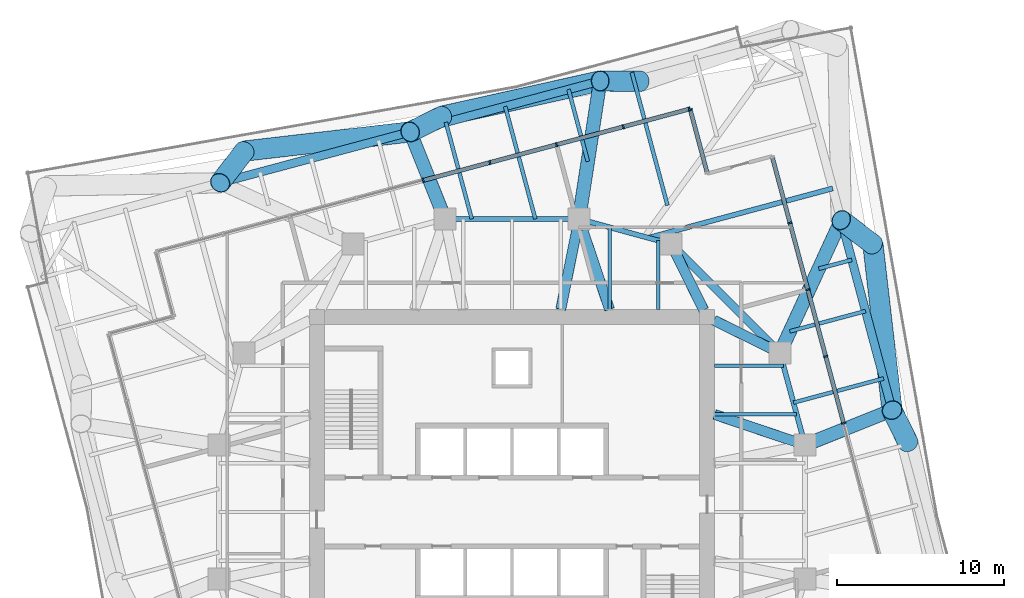
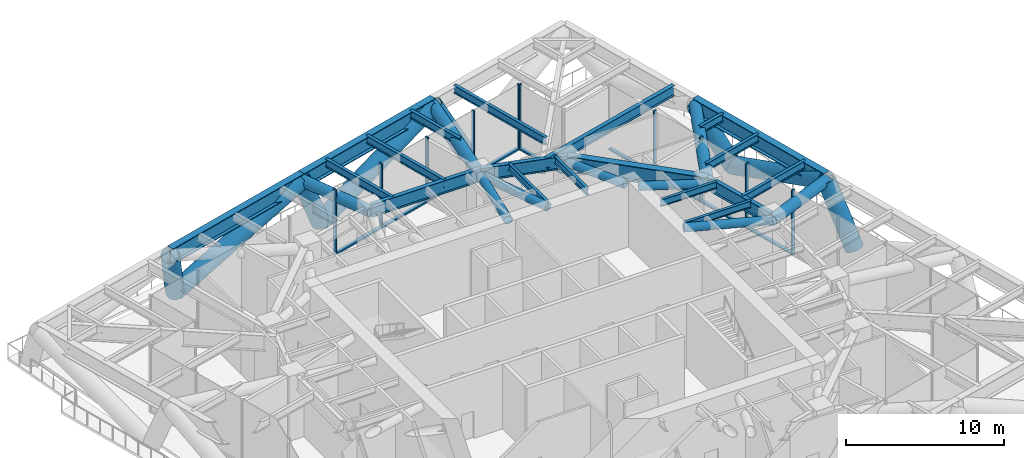
# One storey, part 6 of 14: 36 members, 19 beams, 3 elements without a shape of their own.
"""IFC4 building model written with IfcOpenShell, lengths in metres."""

from ifc_helpers import new_model, si_unit, direction, frame, origin, origin_2d, place, context, subcontext, project, spatial, rectangle, hollow_circle, i_section, extrude, material, material_profile, profile_set, type_object, element, aggregate, save


model = new_model("IFC4")

# Units and contexts
model_context = context("Model", 3, precision=1e-05, world=origin(), true_north=direction((0.0, 1.0)))
body_context = subcontext(model_context, "Body", "Model", "MODEL_VIEW")
ifc_project = project(units=[si_unit("LENGTHUNIT", "METRE"), si_unit("AREAUNIT", "SQUARE_METRE"), si_unit("VOLUMEUNIT", "CUBIC_METRE"), si_unit("PLANEANGLEUNIT", "RADIAN"), si_unit("MASSUNIT", "GRAM", prefix="KILO")], contexts=[model_context])

# Site, building, storey
site_placement = place(None, origin())
site = spatial("IfcSite", under=ifc_project, at=site_placement, CompositionType="ELEMENT")
building_placement = place(site_placement, origin())
building = spatial("IfcBuilding", under=site, at=building_placement, Name="Torsade Residences", CompositionType="ELEMENT")
storey_placement = place(building_placement, frame((0.0, 0.0, 106.60009765625)))
storey = spatial("IfcBuildingStorey", under=building, at=storey_placement, Name="L29", CompositionType="ELEMENT", Elevation=106.60009765625)

# Beams
ifc_material_1 = material(Name="Steel grade 300", Category="steel")
ifc_material_profile_1 = material_profile(ifc_material_1, i_section(OverallWidth=0.208984375, OverallDepth=0.528076171875, WebThickness=0.009521484375, FlangeThickness=0.01318359375, FilletRadius=0.013916015625, at=origin_2d()), Name="530UB82.0")
ifc_profile_set_1 = profile_set([ifc_material_profile_1], Name="Steel grade 300")
beam_type_1 = type_object("IfcBeamType", Name="INNER FLOOR BEAM 530UB82.0", PredefinedType="JOIST", material=ifc_profile_set_1)
beam_1_placement = place(storey_placement, frame((45.824951171875, 42.10009765625, 4.5859375), z_axis=(0.0, 1.0, 0.0), x_axis=(-1.0, 0.0, 0.0)))
element("IfcBeam", 1, at=beam_1_placement, inside=storey, type_object=beam_type_1, Name="Inner floor beam IN06 L30", PredefinedType="JOIST", context=body_context, shape_type="SweptSolid", body=[
    extrude(i_section(OverallWidth=0.208984375, OverallDepth=0.528076171875, WebThickness=0.009521484375, FlangeThickness=0.01318359375, FilletRadius=0.013916015625, at=origin_2d()), origin(), (0.0, 0.0, 1.0), 4.902099609375),
])
beam_2_placement = place(storey_placement, frame((48.737548828125, 42.10009765625, 4.5859375), z_axis=(0.0, 1.0, 0.0), x_axis=(-1.0, 0.0, 0.0)))
element("IfcBeam", 2, at=beam_2_placement, inside=storey, type_object=beam_type_1, Name="Inner floor beam IN07 L30", PredefinedType="JOIST", context=body_context, shape_type="SweptSolid", body=[
    extrude(i_section(OverallWidth=0.208984375, OverallDepth=0.528076171875, WebThickness=0.009521484375, FlangeThickness=0.01318359375, FilletRadius=0.013916015625, at=origin_2d()), origin(), (0.0, 0.0, 1.0), 4.10791015625),
])
beam_3_placement = place(storey_placement, frame((52.10009765625, 35.824951171875, 4.5859375), z_axis=(1.0, 0.0, 0.0), x_axis=(0.0, 1.0, 0.0)))
element("IfcBeam", 3, at=beam_3_placement, inside=storey, type_object=beam_type_1, Name="Inner floor beam IE06 L30", PredefinedType="JOIST", context=body_context, shape_type="SweptSolid", body=[
    extrude(i_section(OverallWidth=0.208984375, OverallDepth=0.528076171875, WebThickness=0.009521484375, FlangeThickness=0.01318359375, FilletRadius=0.013916015625, at=origin_2d()), origin(), (0.0, 0.0, 1.0), 4.902099609375),
])
beam_4_placement = place(storey_placement, frame((52.10009765625, 38.737548828125, 4.5859375), z_axis=(1.0, 0.0, 0.0), x_axis=(0.0, 1.0, 0.0)))
element("IfcBeam", 4, at=beam_4_placement, inside=storey, type_object=beam_type_1, Name="Inner floor beam IE07 L30", PredefinedType="JOIST", context=body_context, shape_type="SweptSolid", body=[
    extrude(i_section(OverallWidth=0.208984375, OverallDepth=0.528076171875, WebThickness=0.009521484375, FlangeThickness=0.01318359375, FilletRadius=0.013916015625, at=origin_2d()), origin(), (0.0, 0.0, 1.0), 4.10791015625),
])
ifc_material_2 = material(Name="Steel grade 300", Category="steel")
ifc_material_profile_2 = material_profile(ifc_material_2, i_section(OverallWidth=0.5, OverallDepth=1.199951171875, WebThickness=0.01611328125, FlangeThickness=0.0400390625, at=origin_2d()), Name="1200WB455")
ifc_profile_set_2 = profile_set([ifc_material_profile_2], Name="Steel grade 300")
beam_type_2 = type_object("IfcBeamType", Name="RING CORNER GIRDER 1200WB455", PredefinedType="BEAM", material=ifc_profile_set_2)
beam_5_placement = place(storey_placement, frame((56.0, 39.5, 4.25), z_axis=(-0.707106781187, 0.707106781187, 0.0), x_axis=(-0.707106781187, -0.707106781187, 0.0)))
element("IfcBeam", 5, at=beam_5_placement, inside=storey, type_object=beam_type_2, Name="Ring girder IR03 L30", PredefinedType="BEAM", context=body_context, shape_type="SweptSolid", body=[
    extrude(i_section(OverallWidth=0.5, OverallDepth=1.199951171875, WebThickness=0.01611328125, FlangeThickness=0.0400390625, at=origin_2d()), origin(), (0.0, 0.0, 1.0), 9.1923828125),
])
ifc_material_3 = material(Name="Steel grade 300", Category="steel")
ifc_material_profile_3 = material_profile(ifc_material_3, i_section(OverallWidth=0.300048828125, OverallDepth=1.0, WebThickness=0.01611328125, FlangeThickness=0.028076171875, at=origin_2d()), Name="1000WB215")
ifc_profile_set_3 = profile_set([ifc_material_profile_3], Name="Steel grade 300")
beam_type_3 = type_object("IfcBeamType", Name="RING GIRDER 1000WB215", PredefinedType="BEAM", material=ifc_profile_set_3)
for number, where, z_axis, x_axis, name in (
    (6, (57.5, 34.0, 4.349853515625), (-0.263117405792, 0.964763821238, 0.0), (-0.964763821238, -0.263117405792, 0.0), "Ring girder IR02 L30"),
    (7, (49.5, 46.0, 4.349853515625), (-0.964763821238, 0.263117405792, 0.0), (-0.263117405792, -0.964763821238, 0.0), "Ring girder IR04 L30"),
):
    element("IfcBeam", number, at=place(storey_placement, frame(where, z_axis=z_axis, x_axis=x_axis)), inside=storey, type_object=beam_type_3, Name=name, PredefinedType="BEAM", context=body_context, shape_type="SweptSolid", body=[
        extrude(i_section(OverallWidth=0.300048828125, OverallDepth=1.0, WebThickness=0.01611328125, FlangeThickness=0.028076171875, at=origin_2d()), origin(), (0.0, 0.0, 1.0), 5.700927734375),
    ])
beam_6_placement = place(storey_placement, frame((44.0, 47.5, 4.349853515625), z_axis=(-1.0, 0.0, 0.0), x_axis=(0.0, -1.0, 0.0)))
element("IfcBeam", 8, at=beam_6_placement, inside=storey, type_object=beam_type_3, Name="Ring girder IR05 L30", PredefinedType="BEAM", context=body_context, shape_type="SweptSolid", body=[
    extrude(i_section(OverallWidth=0.300048828125, OverallDepth=1.0, WebThickness=0.01611328125, FlangeThickness=0.028076171875, at=origin_2d()), origin(), (0.0, 0.0, 1.0), 8.0),
])
ifc_material_4 = material(Name="Steel grade 300", Category="steel")
ifc_material_profile_4 = material_profile(ifc_material_4, i_section(OverallWidth=0.22900390625, OverallDepth=0.612060546875, WebThickness=0.011962890625, FlangeThickness=0.01953125, FilletRadius=0.013916015625, at=origin_2d()), Name="610UB125")
ifc_profile_set_4 = profile_set([ifc_material_profile_4], Name="Steel grade 300")
beam_type_4 = type_object("IfcBeamType", Name="SECONDARY BEAM 610UB125", PredefinedType="JOIST", material=ifc_profile_set_4)
beam_7_placement = place(storey_placement, frame((62.1923828125, 37.973876953125, 4.5439453125), z_axis=(-0.965923020144, -0.258829517553, 0.0), x_axis=(0.258829517553, -0.965923020144, 0.0)))
element("IfcBeam", 9, at=beam_7_placement, inside=storey, type_object=beam_type_4, Name="Floor beam FE07 L30", PredefinedType="JOIST", context=body_context, shape_type="SweptSolid", body=[
    extrude(i_section(OverallWidth=0.22900390625, OverallDepth=0.612060546875, WebThickness=0.011962890625, FlangeThickness=0.01953125, FilletRadius=0.013916015625, at=origin_2d()), origin(), (0.0, 0.0, 1.0), 5.57275390625),
])
beam_8_placement = place(storey_placement, frame((61.114013671875, 41.99853515625, 4.5439453125), z_axis=(-0.965926860523, -0.258815185258, 0.0), x_axis=(0.258815185258, -0.965926860523, 0.0)))
element("IfcBeam", 10, at=beam_8_placement, inside=storey, type_object=beam_type_4, Name="Floor beam FE08 L30", PredefinedType="JOIST", context=body_context, shape_type="SweptSolid", body=[
    extrude(i_section(OverallWidth=0.22900390625, OverallDepth=0.612060546875, WebThickness=0.011962890625, FlangeThickness=0.01953125, FilletRadius=0.013916015625, at=origin_2d()), origin(), (0.0, 0.0, 1.0), 4.6796875),
])
beam_9_placement = place(storey_placement, frame((60.29443359375, 45.057373046875, 4.5439453125), z_axis=(-0.965933133225, -0.258791773706, 0.0), x_axis=(0.258791773706, -0.965933133225, 0.0)))
element("IfcBeam", 11, at=beam_9_placement, inside=storey, type_object=beam_type_4, Name="Floor beam FE09 L30", PredefinedType="JOIST", context=body_context, shape_type="SweptSolid", body=[
    extrude(i_section(OverallWidth=0.22900390625, OverallDepth=0.612060546875, WebThickness=0.011962890625, FlangeThickness=0.01953125, FilletRadius=0.013916015625, at=origin_2d()), origin(), (0.0, 0.0, 1.0), 2.045166015625),
])
beam_10_placement = place(storey_placement, frame((47.158935546875, 56.247314453125, 4.5439453125), z_axis=(0.258822243477, -0.965924969282, 0.0), x_axis=(0.965924969282, 0.258822243477, 0.0)))
element("IfcBeam", 12, at=beam_10_placement, inside=storey, type_object=beam_type_4, Name="Floor beam FN03 L30", PredefinedType="JOIST", context=body_context, shape_type="SweptSolid", body=[
    extrude(i_section(OverallWidth=0.22900390625, OverallDepth=0.612060546875, WebThickness=0.011962890625, FlangeThickness=0.01953125, FilletRadius=0.013916015625, at=origin_2d()), origin(), (0.0, 0.0, 1.0), 8.215087890625),
])
beam_11_placement = place(storey_placement, frame((43.375732421875, 55.233642578125, 4.5439453125), z_axis=(0.258836590722, -0.965921124784, 0.0), x_axis=(0.965921124784, 0.258836590722, 0.0)))
element("IfcBeam", 13, at=beam_11_placement, inside=storey, type_object=beam_type_4, Name="Floor beam FN04 L30", PredefinedType="JOIST", context=body_context, shape_type="SweptSolid", body=[
    extrude(i_section(OverallWidth=0.22900390625, OverallDepth=0.612060546875, WebThickness=0.011962890625, FlangeThickness=0.01953125, FilletRadius=0.013916015625, at=origin_2d()), origin(), (0.0, 0.0, 1.0), 4.451904296875),
])
beam_12_placement = place(storey_placement, frame((39.592529296875, 54.2197265625, 4.5439453125), z_axis=(0.258817945835, -0.965926120836, 0.0), x_axis=(0.965926120836, 0.258817945835, 0.0)))
element("IfcBeam", 14, at=beam_12_placement, inside=storey, type_object=beam_type_4, Name="Floor beam FN05 L30", PredefinedType="JOIST", context=body_context, shape_type="SweptSolid", body=[
    extrude(i_section(OverallWidth=0.22900390625, OverallDepth=0.612060546875, WebThickness=0.011962890625, FlangeThickness=0.01953125, FilletRadius=0.013916015625, at=origin_2d()), origin(), (0.0, 0.0, 1.0), 6.956787109375),
])
beam_13_placement = place(storey_placement, frame((36.05078125, 53.270751953125, 4.5439453125), z_axis=(0.258837534481, -0.965920871885, 0.0), x_axis=(0.965920871885, 0.258837534481, 0.0)))
element("IfcBeam", 15, at=beam_13_placement, inside=storey, type_object=beam_type_4, Name="Floor beam FN06 L30", PredefinedType="JOIST", context=body_context, shape_type="SweptSolid", body=[
    extrude(i_section(OverallWidth=0.22900390625, OverallDepth=0.612060546875, WebThickness=0.011962890625, FlangeThickness=0.01953125, FilletRadius=0.013916015625, at=origin_2d()), origin(), (0.0, 0.0, 1.0), 5.974365234375),
])
ifc_material_5 = material(Name="Steel grade 300", Category="steel")
ifc_material_profile_5 = material_profile(ifc_material_5, i_section(OverallWidth=0.300048828125, OverallDepth=0.800048828125, WebThickness=0.010009765625, FlangeThickness=0.02001953125, at=origin_2d()), Name="800WB146")
ifc_profile_set_5 = profile_set([ifc_material_profile_5], Name="Steel grade 300")
beam_type_5 = type_object("IfcBeamType", Name="SECONDARY BEAM 800WB146", PredefinedType="JOIST", material=ifc_profile_set_5)
beam_14_placement = place(storey_placement, frame((59.1513671875, 49.323486328125, 4.449951171875), z_axis=(-0.965929035417, -0.258807068179, 0.0), x_axis=(0.258807068179, -0.965929035417, 0.0)))
element("IfcBeam", 16, at=beam_14_placement, inside=storey, type_object=beam_type_5, Name="Floor beam FE10 L30", PredefinedType="JOIST", context=body_context, shape_type="SweptSolid", body=[
    extrude(i_section(OverallWidth=0.300048828125, OverallDepth=0.800048828125, WebThickness=0.010009765625, FlangeThickness=0.02001953125, at=origin_2d()), origin(), (0.0, 0.0, 1.0), 11.40380859375),
])

# Members
ifc_material_6 = material(Name="Steel grade 450", Category="steel")
ifc_material_profile_6 = material_profile(ifc_material_6, hollow_circle(Radius=0.304931640625, WallThickness=0.01611328125, at=origin_2d()), Name="610.0x16.0CHS")
ifc_profile_set_6 = profile_set([ifc_material_profile_6], Name="Steel grade 450")
member_type_1 = type_object("IfcMemberType", Name="TRANSFER FLOOR BRACE 610.0x16.0CHS", PredefinedType="BRACE", material=ifc_profile_set_6)
member_1_placement = place(storey_placement, frame((57.5, 34.0, 4.25), z_axis=(-0.946857291164, 0.319999920944, 0.032577918373), x_axis=(-0.320169867513, -0.947360151124, 0.0)))
element("IfcMember", 17, at=member_1_placement, inside=storey, type_object=member_type_1, Name="Transfer floor brace TT3 top IR02IE06", PredefinedType="BRACE", context=body_context, shape_type="SweptSolid", body=[
    extrude(hollow_circle(Radius=0.304931640625, WallThickness=0.01611328125, at=origin_2d()), origin(), (0.0, 0.0, 1.0), 5.702880859375),
])
for number, where, z_axis, x_axis, name in (
    (18, (56.0, 39.5, 4.25), (-0.896469701914, 0.443105036702, 0.0), (-0.443105036702, -0.896469701914, 0.0), "Transfer floor brace TT3 top IR03C"),
    (19, (49.5, 46.0, 4.25), (0.443105036702, -0.896469701914, 0.0), (0.896469701914, 0.443105036702, 0.0), "Transfer floor brace TT3 top IR04C"),
):
    element("IfcMember", number, at=place(storey_placement, frame(where, z_axis=z_axis, x_axis=x_axis)), inside=storey, type_object=member_type_1, Name=name, PredefinedType="BRACE", context=body_context, shape_type="SweptSolid", body=[
        extrude(hollow_circle(Radius=0.304931640625, WallThickness=0.01611328125, at=origin_2d()), origin(), (0.0, 0.0, 1.0), 4.40234375),
    ])
member_2_placement = place(storey_placement, frame((44.0, 47.5, 4.25), z_axis=(-0.197299340721, -0.97976354245, 0.033710102894), x_axis=(0.980320704809, -0.197411538983, 0.0)))
element("IfcMember", 20, at=member_2_placement, inside=storey, type_object=member_type_1, Name="Transfer floor brace TT3 top IR05IN05", PredefinedType="BRACE", context=body_context, shape_type="SweptSolid", body=[
    extrude(hollow_circle(Radius=0.304931640625, WallThickness=0.01611328125, at=origin_2d()), origin(), (0.0, 0.0, 1.0), 5.511474609375),
])
member_3_placement = place(storey_placement, frame((44.0, 47.5, 4.25), z_axis=(0.319999920944, -0.946857291164, 0.032577918373), x_axis=(0.947360151124, 0.320169867513, 0.0)))
element("IfcMember", 21, at=member_3_placement, inside=storey, type_object=member_type_1, Name="Transfer floor brace TT3 top IR05IN06", PredefinedType="BRACE", context=body_context, shape_type="SweptSolid", body=[
    extrude(hollow_circle(Radius=0.304931640625, WallThickness=0.01611328125, at=origin_2d()), origin(), (0.0, 0.0, 1.0), 5.702880859375),
])
ifc_material_7 = material(Name="Steel grade 450", Category="steel")
ifc_material_profile_7 = material_profile(ifc_material_7, hollow_circle(Radius=0.406494140625, WallThickness=0.02490234375, at=origin_2d()), Name="813.0x25.0CHS")
ifc_profile_set_7 = profile_set([ifc_material_profile_7], Name="Steel grade 450")
member_type_2 = type_object("IfcMemberType", Name="TRANSFER FLOOR STRUT 813.0x25.0CHS", PredefinedType="STRUT", material=ifc_profile_set_7)
member_4_placement = place(storey_placement, frame((62.69921875, 36.082275390625, 4.25), z_axis=(-0.928317272246, -0.371788975159, 0.0), x_axis=(0.371788975159, -0.928317272246, 0.0)))
element("IfcMember", 22, at=member_4_placement, inside=storey, type_object=member_type_2, Name="Transfer floor strut TT3 top 07IR02", PredefinedType="STRUT", context=body_context, shape_type="SweptSolid", body=[
    extrude(hollow_circle(Radius=0.406494140625, WallThickness=0.02490234375, at=origin_2d()), origin(), (0.0, 0.0, 1.0), 5.6005859375),
])
member_5_placement = place(storey_placement, frame((59.658203125, 47.431884765625, 4.25), z_axis=(-0.418806472813, -0.908075513562, 0.0), x_axis=(0.908075513562, -0.418806472813, 0.0)))
element("IfcMember", 23, at=member_5_placement, inside=storey, type_object=member_type_2, Name="Transfer floor strut TT3 top 08IR03", PredefinedType="STRUT", context=body_context, shape_type="SweptSolid", body=[
    extrude(hollow_circle(Radius=0.406494140625, WallThickness=0.02490234375, at=origin_2d()), origin(), (0.0, 0.0, 1.0), 8.73486328125),
])
member_6_placement = place(storey_placement, frame((45.267333984375, 55.740478515625, 4.25), z_axis=(-0.152006574044, -0.98837948251, 0.0), x_axis=(0.98837948251, -0.152006574044, 0.0)))
element("IfcMember", 24, at=member_6_placement, inside=storey, type_object=member_type_2, Name="Transfer floor strut TT3 top 10IR05", PredefinedType="STRUT", context=body_context, shape_type="SweptSolid", body=[
    extrude(hollow_circle(Radius=0.406494140625, WallThickness=0.02490234375, at=origin_2d()), origin(), (0.0, 0.0, 1.0), 8.33740234375),
])
member_7_placement = place(storey_placement, frame((33.917724609375, 52.69921875, 4.25), z_axis=(0.371788975159, -0.928317272246, 0.0), x_axis=(0.928317272246, 0.371788975159, 0.0)))
element("IfcMember", 25, at=member_7_placement, inside=storey, type_object=member_type_2, Name="Transfer floor strut TT3 top 11IR06", PredefinedType="STRUT", context=body_context, shape_type="SweptSolid", body=[
    extrude(hollow_circle(Radius=0.406494140625, WallThickness=0.02490234375, at=origin_2d()), origin(), (0.0, 0.0, 1.0), 5.6005859375),
])

# Curtain wall, members
ifc_material_8 = material(Name="Aluminium and glass", Category="aluminium")
curtain_wall_type = type_object("IfcCurtainWallType", Name="TRANSFER LEVEL CURTAIN WALL LOW ZONE", PredefinedType="NOTDEFINED", material=ifc_material_8)
curtain_wall_1_placement = place(storey_placement, origin())
curtain_wall_1 = element("IfcCurtainWall", 26, at=curtain_wall_1_placement, inside=storey, type_object=curtain_wall_type, Name="Curtain wall L29 face 4", PredefinedType="NOTDEFINED")
ifc_material_9 = material(Name="Aluminium mullion", Category="aluminium")
ifc_material_profile_8 = material_profile(ifc_material_9, rectangle(XDim=0.25, YDim=0.10009765625, at=origin_2d()), Name="TRANSFER LEVEL CURTAIN WALL MULLION 250x100")
ifc_profile_set_8 = profile_set([ifc_material_profile_8], Name="Aluminium mullion")
member_type_3 = type_object("IfcMemberType", Name="TRANSFER LEVEL CURTAIN WALL MULLION 250x100", PredefinedType="MULLION", material=ifc_profile_set_8)
member_8_placement = place(storey_placement, frame((59.801513671875, 35.305908203125, 0.0), z_axis=(0.0, 0.0, 1.0), x_axis=(-0.965925823899, -0.258819054021, 0.0)))
member_8 = element("IfcMember", 27, at=member_8_placement, type_object=member_type_3, Name="Mullion 5", PredefinedType="MULLION", context=body_context, shape_type="SweptSolid", body=[
    extrude(rectangle(XDim=0.25, YDim=0.10009765625, at=origin_2d()), origin(), (0.0, 0.0, 1.0), 5.0),
])
member_9_placement = place(storey_placement, frame((58.73388671875, 39.290283203125, 0.0), z_axis=(0.0, 0.0, 1.0), x_axis=(-0.965925823899, -0.258819054021, 0.0)))
member_9 = element("IfcMember", 28, at=member_9_placement, type_object=member_type_3, Name="Mullion 6", PredefinedType="MULLION", context=body_context, shape_type="SweptSolid", body=[
    extrude(rectangle(XDim=0.25, YDim=0.10009765625, at=origin_2d()), origin(), (0.0, 0.0, 1.0), 5.0),
])
member_10_placement = place(storey_placement, frame((57.666259765625, 43.274658203125, 0.0), z_axis=(0.0, 0.0, 1.0), x_axis=(-0.965925823899, -0.258819054021, 0.0)))
member_10 = element("IfcMember", 29, at=member_10_placement, type_object=member_type_3, Name="Mullion 7", PredefinedType="MULLION", context=body_context, shape_type="SweptSolid", body=[
    extrude(rectangle(XDim=0.25, YDim=0.10009765625, at=origin_2d()), origin(), (0.0, 0.0, 1.0), 5.0),
])
member_11_placement = place(storey_placement, frame((56.5986328125, 47.259033203125, 0.0), z_axis=(0.0, 0.0, 1.0), x_axis=(-0.965925823899, -0.258819054021, 0.0)))
member_11 = element("IfcMember", 30, at=member_11_placement, type_object=member_type_3, Name="Mullion 8", PredefinedType="MULLION", context=body_context, shape_type="SweptSolid", body=[
    extrude(rectangle(XDim=0.25, YDim=0.10009765625, at=origin_2d()), origin(), (0.0, 0.0, 1.0), 5.0),
])

# Curtain wall, member
curtain_wall_2_placement = place(storey_placement, origin())
curtain_wall_2 = element("IfcCurtainWall", 31, at=curtain_wall_2_placement, inside=storey, type_object=curtain_wall_type, Name="Curtain wall L29 face 6", PredefinedType="NOTDEFINED")
member_12_placement = place(storey_placement, frame((50.64501953125, 54.023681640625, 0.0), z_axis=(0.0, 0.0, 1.0), x_axis=(-0.965925849201, -0.258818959596, 0.0)))
member_12 = element("IfcMember", 32, at=member_12_placement, type_object=member_type_3, Name="Mullion 2", PredefinedType="MULLION", context=body_context, shape_type="SweptSolid", body=[
    extrude(rectangle(XDim=0.25, YDim=0.10009765625, at=origin_2d()), origin(), (0.0, 0.0, 1.0), 5.0),
])

# Curtain wall, members
curtain_wall_3_placement = place(storey_placement, origin())
curtain_wall_3 = element("IfcCurtainWall", 33, at=curtain_wall_3_placement, inside=storey, type_object=curtain_wall_type, Name="Curtain wall L29 face 7", PredefinedType="NOTDEFINED")
member_13_placement = place(storey_placement, frame((50.583740234375, 54.05908203125, 0.0), z_axis=(0.0, 0.0, 1.0), x_axis=(0.258819054021, -0.965925823899, 0.0)))
member_13 = element("IfcMember", 34, at=member_13_placement, type_object=member_type_3, Name="Mullion 1", PredefinedType="MULLION", context=body_context, shape_type="SweptSolid", body=[
    extrude(rectangle(XDim=0.25, YDim=0.10009765625, at=origin_2d()), origin(), (0.0, 0.0, 1.0), 5.0),
])
member_14_placement = place(storey_placement, frame((46.6474609375, 53.00439453125, 0.0), z_axis=(0.0, 0.0, 1.0), x_axis=(0.258819054021, -0.965925823899, 0.0)))
member_14 = element("IfcMember", 35, at=member_14_placement, type_object=member_type_3, Name="Mullion 2", PredefinedType="MULLION", context=body_context, shape_type="SweptSolid", body=[
    extrude(rectangle(XDim=0.25, YDim=0.10009765625, at=origin_2d()), origin(), (0.0, 0.0, 1.0), 5.0),
])
member_15_placement = place(storey_placement, frame((42.6630859375, 51.936767578125, 0.0), z_axis=(0.0, 0.0, 1.0), x_axis=(0.258819054021, -0.965925823899, 0.0)))
member_15 = element("IfcMember", 36, at=member_15_placement, type_object=member_type_3, Name="Mullion 3", PredefinedType="MULLION", context=body_context, shape_type="SweptSolid", body=[
    extrude(rectangle(XDim=0.25, YDim=0.10009765625, at=origin_2d()), origin(), (0.0, 0.0, 1.0), 5.0),
])
member_16_placement = place(storey_placement, frame((38.6787109375, 50.869140625, 0.0), z_axis=(0.0, 0.0, 1.0), x_axis=(0.258819054021, -0.965925823899, 0.0)))
member_16 = element("IfcMember", 37, at=member_16_placement, type_object=member_type_3, Name="Mullion 4", PredefinedType="MULLION", context=body_context, shape_type="SweptSolid", body=[
    extrude(rectangle(XDim=0.25, YDim=0.10009765625, at=origin_2d()), origin(), (0.0, 0.0, 1.0), 5.0),
])
member_17_placement = place(storey_placement, frame((34.694091796875, 49.801513671875, 0.0), z_axis=(0.0, 0.0, 1.0), x_axis=(0.258819054021, -0.965925823899, 0.0)))
member_17 = element("IfcMember", 38, at=member_17_placement, type_object=member_type_3, Name="Mullion 5", PredefinedType="MULLION", context=body_context, shape_type="SweptSolid", body=[
    extrude(rectangle(XDim=0.25, YDim=0.10009765625, at=origin_2d()), origin(), (0.0, 0.0, 1.0), 5.0),
])

# Member
ifc_material_10 = material(Name="Aluminium transom", Category="aluminium")
ifc_material_profile_9 = material_profile(ifc_material_10, rectangle(XDim=0.25, YDim=0.1201171875, at=origin_2d()), Name="TRANSFER LEVEL CURTAIN WALL TRANSOM 250x120")
ifc_profile_set_9 = profile_set([ifc_material_profile_9], Name="Aluminium transom")
member_type_4 = type_object("IfcMemberType", Name="TRANSFER LEVEL CURTAIN WALL TRANSOM 250x120", PredefinedType="USERDEFINED", material=ifc_profile_set_9)
member_18_placement = place(storey_placement, frame((59.78857421875, 35.35400390625, 0.059814453125), z_axis=(-0.258813901512, 0.965927204495, 0.0), x_axis=(-0.965927204495, -0.258813901512, 0.0)))
member_18 = element("IfcMember", 39, at=member_18_placement, type_object=member_type_4, Name="Transom 5.1", ObjectType="TRANSOM", PredefinedType="USERDEFINED", context=body_context, shape_type="SweptSolid", body=[
    extrude(rectangle(XDim=0.25, YDim=0.1201171875, at=origin_2d()), origin(), (0.0, 0.0, 1.0), 4.025146484375),
])

member_19_placement = place(storey_placement, frame((58.720947265625, 39.338623046875, 0.059814453125), z_axis=(-0.258829065781, 0.965923141201, 0.0), x_axis=(-0.965923141201, -0.258829065781, 0.0)))
member_19 = element("IfcMember", 40, at=member_19_placement, type_object=member_type_4, Name="Transom 6.1", ObjectType="TRANSOM", PredefinedType="USERDEFINED", context=body_context, shape_type="SweptSolid", body=[
    extrude(rectangle(XDim=0.25, YDim=0.1201171875, at=origin_2d()), origin(), (0.0, 0.0, 1.0), 4.02490234375),
])

member_20_placement = place(storey_placement, frame((57.6533203125, 43.322998046875, 0.059814453125), z_axis=(-0.258813901512, 0.965927204495, 0.0), x_axis=(-0.965927204495, -0.258813901512, 0.0)))
member_20 = element("IfcMember", 41, at=member_20_placement, type_object=member_type_4, Name="Transom 7.1", ObjectType="TRANSOM", PredefinedType="USERDEFINED", context=body_context, shape_type="SweptSolid", body=[
    extrude(rectangle(XDim=0.25, YDim=0.1201171875, at=origin_2d()), origin(), (0.0, 0.0, 1.0), 4.025146484375),
])

member_21_placement = place(storey_placement, frame((56.585693359375, 47.307373046875, 0.059814453125), z_axis=(-0.258816927752, 0.965926393629, 0.0), x_axis=(-0.965926393629, -0.258816927752, 0.0)))
member_21 = element("IfcMember", 42, at=member_21_placement, type_object=member_type_4, Name="Transom 8.1", ObjectType="TRANSOM", PredefinedType="USERDEFINED", context=body_context, shape_type="SweptSolid", body=[
    extrude(rectangle(XDim=0.25, YDim=0.1201171875, at=origin_2d()), origin(), (0.0, 0.0, 1.0), 3.97509765625),
])

aggregate(curtain_wall_1, [member_8, member_9, member_10, member_11, member_18, member_19, member_20, member_21])

member_22_placement = place(storey_placement, frame((51.641357421875, 50.304931640625, 0.059814453125), z_axis=(-0.258798174346, 0.96593141835, 0.0), x_axis=(-0.96593141835, -0.258798174346, 0.0)))
member_22 = element("IfcMember", 43, at=member_22_placement, type_object=member_type_4, Name="Transom 1.1", ObjectType="TRANSOM", PredefinedType="USERDEFINED", context=body_context, shape_type="SweptSolid", body=[
    extrude(rectangle(XDim=0.25, YDim=0.1201171875, at=origin_2d()), origin(), (0.0, 0.0, 1.0), 3.7998046875),
])

aggregate(curtain_wall_2, [member_12, member_22])

member_23_placement = place(storey_placement, frame((50.535400390625, 54.046142578125, 0.059814453125), z_axis=(-0.965926393629, -0.258816927752, 0.0), x_axis=(0.258816927752, -0.965926393629, 0.0)))
member_23 = element("IfcMember", 44, at=member_23_placement, type_object=member_type_4, Name="Transom 1.1", ObjectType="TRANSOM", PredefinedType="USERDEFINED", context=body_context, shape_type="SweptSolid", body=[
    extrude(rectangle(XDim=0.25, YDim=0.1201171875, at=origin_2d()), origin(), (0.0, 0.0, 1.0), 3.97509765625),
])

member_24_placement = place(storey_placement, frame((46.599365234375, 52.991455078125, 0.059814453125), z_axis=(-0.965927204495, -0.258813901512, 0.0), x_axis=(0.258813901512, -0.965927204495, 0.0)))
member_24 = element("IfcMember", 45, at=member_24_placement, type_object=member_type_4, Name="Transom 2.1", ObjectType="TRANSOM", PredefinedType="USERDEFINED", context=body_context, shape_type="SweptSolid", body=[
    extrude(rectangle(XDim=0.25, YDim=0.1201171875, at=origin_2d()), origin(), (0.0, 0.0, 1.0), 4.025146484375),
])

member_25_placement = place(storey_placement, frame((42.61474609375, 51.923828125, 0.059814453125), z_axis=(-0.965923141201, -0.258829065781, 0.0), x_axis=(0.258829065781, -0.965923141201, 0.0)))
member_25 = element("IfcMember", 46, at=member_25_placement, type_object=member_type_4, Name="Transom 3.1", ObjectType="TRANSOM", PredefinedType="USERDEFINED", context=body_context, shape_type="SweptSolid", body=[
    extrude(rectangle(XDim=0.25, YDim=0.1201171875, at=origin_2d()), origin(), (0.0, 0.0, 1.0), 4.02490234375),
])

member_26_placement = place(storey_placement, frame((38.63037109375, 50.856201171875, 0.059814453125), z_axis=(-0.965927204495, -0.258813901512, 0.0), x_axis=(0.258813901512, -0.965927204495, 0.0)))
member_26 = element("IfcMember", 47, at=member_26_placement, type_object=member_type_4, Name="Transom 4.1", ObjectType="TRANSOM", PredefinedType="USERDEFINED", context=body_context, shape_type="SweptSolid", body=[
    extrude(rectangle(XDim=0.25, YDim=0.1201171875, at=origin_2d()), origin(), (0.0, 0.0, 1.0), 4.025146484375),
])

aggregate(curtain_wall_3, [member_13, member_14, member_15, member_16, member_17, member_23, member_24, member_25, member_26])

# Beams
ifc_material_11 = material(Name="Steel grade 350", Category="steel")
ifc_material_profile_10 = material_profile(ifc_material_11, i_section(OverallWidth=0.5, OverallDepth=1.199951171875, WebThickness=0.031982421875, FlangeThickness=0.050048828125, at=origin_2d()), Name="1200x500x50x32WPG")
ifc_profile_set_10 = profile_set([ifc_material_profile_10], Name="Steel grade 350")
beam_type_6 = type_object("IfcBeamType", Name="TRANSFER TRUSS CHORD 1200x500x50x32WPG", PredefinedType="USERDEFINED", material=ifc_profile_set_10)
for number, where, z_axis, x_axis, name in (
    (48, (62.69921875, 36.082275390625, 4.25), (-0.258810863021, 0.965928018634, 0.0), (-0.965928018634, -0.258810863021, 0.0), "Transfer truss TT3 top chord 07"),
    (49, (45.267333984375, 55.740478515625, 4.25), (-0.965922824118, -0.258830249097, 0.0), (0.258830249097, -0.965922824118, 0.0), "Transfer truss TT3 top chord 10"),
    (50, (33.917724609375, 52.69921875, 4.25), (-0.965928018634, -0.258810863021, 0.0), (0.258810863021, -0.965928018634, 0.0), "Transfer truss TT3 top chord 11"),
):
    element("IfcBeam", number, at=place(storey_placement, frame(where, z_axis=z_axis, x_axis=x_axis)), inside=storey, type_object=beam_type_6, Name=name, ObjectType="TRANSFER TRUSS CHORD", PredefinedType="USERDEFINED", context=body_context, shape_type="SweptSolid", body=[
        extrude(i_section(OverallWidth=0.5, OverallDepth=1.199951171875, WebThickness=0.031982421875, FlangeThickness=0.050048828125, at=origin_2d()), origin(), (0.0, 0.0, 1.0), 11.75),
    ])

# Members
ifc_material_12 = material(Name="Steel grade 450", Category="steel")
ifc_material_profile_11 = material_profile(ifc_material_12, hollow_circle(Radius=0.609619140625, WallThickness=0.0400390625, at=origin_2d()), Name="1219.0x40.0CHS")
ifc_profile_set_11 = profile_set([ifc_material_profile_11], Name="Steel grade 450")
member_type_5 = type_object("IfcMemberType", Name="TRANSFER TRUSS DIAGONAL 1219.0x40.0CHS", PredefinedType="BRACE", material=ifc_profile_set_11)
member_27_placement = place(storey_placement, frame((61.551513671875, 45.9853515625, -0.2001953125), z_axis=(0.105125010459, -0.907080578438, 0.407619376865), x_axis=(0.993351216405, 0.115123242076, 0.0)))
element("IfcMember", 51, at=member_27_placement, inside=storey, type_object=member_type_5, Name="Transfer truss TT3 diagonal 07", PredefinedType="BRACE", context=body_context, shape_type="SweptSolid", body=[
    extrude(hollow_circle(Radius=0.609619140625, WallThickness=0.0400390625, at=origin_2d()), origin(), (0.0, 0.0, 1.0), 10.91748046875),
])
member_28_placement = place(storey_placement, frame((35.83251953125, 53.635498046875, -0.2001953125), z_axis=(0.886568962777, 0.197800429475, 0.418175159879), x_axis=(-0.217754011153, 0.976003683716, 0.0)))
element("IfcMember", 52, at=member_28_placement, inside=storey, type_object=member_type_5, Name="Transfer truss TT3 diagonal 10", PredefinedType="BRACE", context=body_context, shape_type="SweptSolid", body=[
    extrude(hollow_circle(Radius=0.609619140625, WallThickness=0.0400390625, at=origin_2d()), origin(), (0.0, 0.0, 1.0), 10.641845703125),
])
member_29_placement = place(storey_placement, frame((24.0146484375, 51.551513671875, -0.2001953125), z_axis=(0.907080578438, 0.105125010459, 0.407619376865), x_axis=(-0.115123242076, 0.993351216405, 0.0)))
element("IfcMember", 53, at=member_29_placement, inside=storey, type_object=member_type_5, Name="Transfer truss TT3 diagonal 11", PredefinedType="BRACE", context=body_context, shape_type="SweptSolid", body=[
    extrude(hollow_circle(Radius=0.609619140625, WallThickness=0.0400390625, at=origin_2d()), origin(), (0.0, 0.0, 1.0), 10.91748046875),
])
ifc_material_13 = material(Name="Steel grade 450", Category="steel")
ifc_material_profile_12 = material_profile(ifc_material_13, hollow_circle(Radius=0.609619140625, WallThickness=0.031982421875, at=origin_2d()), Name="1219.0x32.0CHS")
ifc_profile_set_12 = profile_set([ifc_material_profile_12], Name="Steel grade 450")
member_type_6 = type_object("IfcMemberType", Name="TRANSFER TRUSS RAKING STRUT 1219.0x32.0CHS", PredefinedType="STRUT", material=ifc_profile_set_12)
member_30_placement = place(storey_placement, frame((63.635498046875, 34.16748046875, -0.2001953125), z_axis=(-0.189749239976, 0.388058224023, 0.901890259786), x_axis=(-0.898355232604, -0.439269707642, 0.0)))
element("IfcMember", 54, at=member_30_placement, inside=storey, type_object=member_type_6, Name="Transfer truss TT3 raking strut 07", PredefinedType="STRUT", context=body_context, shape_type="SweptSolid", body=[
    extrude(hollow_circle(Radius=0.609619140625, WallThickness=0.031982421875, at=origin_2d()), origin(), (0.0, 0.0, 1.0), 4.934326171875),
])
member_31_placement = place(storey_placement, frame((61.551513671875, 45.9853515625, -0.2001953125), z_axis=(-0.375068749809, 0.286561230512, 0.881592929919), x_axis=(-0.607107753949, -0.794619515929, 0.0)))
element("IfcMember", 55, at=member_31_placement, inside=storey, type_object=member_type_6, Name="Transfer truss TT3 raking strut 08", PredefinedType="STRUT", context=body_context, shape_type="SweptSolid", body=[
    extrude(hollow_circle(Radius=0.609619140625, WallThickness=0.031982421875, at=origin_2d()), origin(), (0.0, 0.0, 1.0), 5.0478515625),
])
member_32_placement = place(storey_placement, frame((47.650146484375, 55.71923828125, -0.2001953125), z_axis=(-0.472029327114, 0.004207638469, 0.881572804777), x_axis=(-0.008913580305, -0.999960273254, 0.0)))
element("IfcMember", 56, at=member_32_placement, inside=storey, type_object=member_type_6, Name="Transfer truss TT3 raking strut 10", PredefinedType="STRUT", context=body_context, shape_type="SweptSolid", body=[
    extrude(hollow_circle(Radius=0.609619140625, WallThickness=0.031982421875, at=origin_2d()), origin(), (0.0, 0.0, 1.0), 5.048095703125),
])
member_33_placement = place(storey_placement, frame((35.83251953125, 53.635498046875, -0.2001953125), z_axis=(-0.388058224023, -0.189749239976, 0.901890259786), x_axis=(0.439269707642, -0.898355232604, 0.0)))
element("IfcMember", 57, at=member_33_placement, inside=storey, type_object=member_type_6, Name="Transfer truss TT3 raking strut 11", PredefinedType="STRUT", context=body_context, shape_type="SweptSolid", body=[
    extrude(hollow_circle(Radius=0.609619140625, WallThickness=0.031982421875, at=origin_2d()), origin(), (0.0, 0.0, 1.0), 4.934326171875),
])
member_34_placement = place(storey_placement, frame((24.0146484375, 51.551513671875, -0.2001953125), z_axis=(-0.286561230512, -0.375068749809, 0.881592929919), x_axis=(0.794619515929, -0.607107753949, 0.0)))
element("IfcMember", 58, at=member_34_placement, inside=storey, type_object=member_type_6, Name="Transfer truss TT3 raking strut 12", PredefinedType="STRUT", context=body_context, shape_type="SweptSolid", body=[
    extrude(hollow_circle(Radius=0.609619140625, WallThickness=0.031982421875, at=origin_2d()), origin(), (0.0, 0.0, 1.0), 5.0478515625),
])

save(model, "model.ifc")
